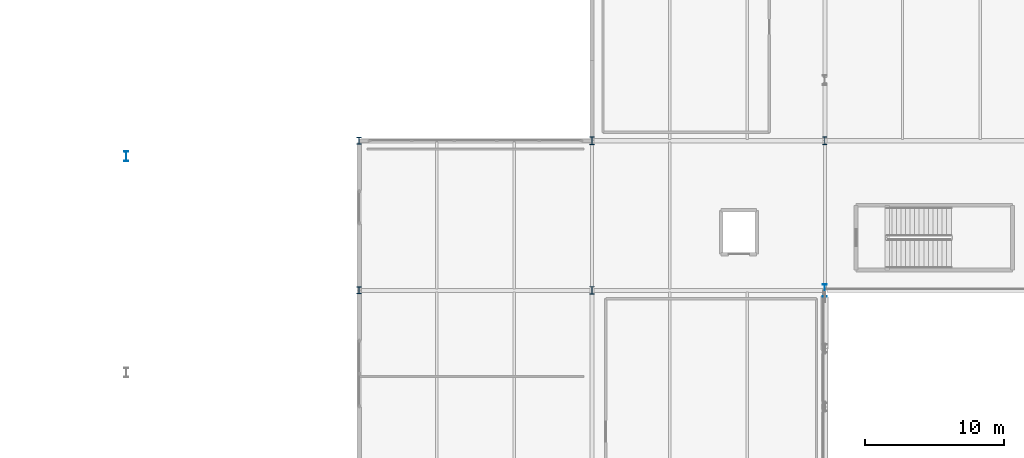
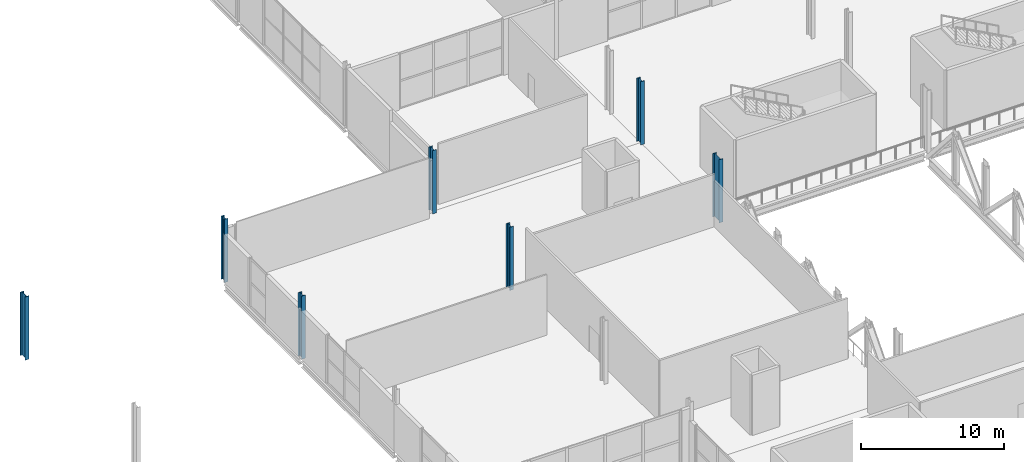
# One storey, part 5 of 84: 7 columns.
"""IFC4 building model written with IfcOpenShell, lengths in metres."""

from ifc_helpers import new_model, si_unit, direction, frame, origin, origin_2d, place, context, subcontext, project, spatial, i_section, extrude, material, material_profile, profile_set, type_object, element, save


model = new_model("IFC4")

# Units and contexts
model_context = context("Model", 3, precision=1e-05, world=origin(), true_north=direction((0.0, 1.0)))
body_context = subcontext(model_context, "Body", "Model", "MODEL_VIEW")
ifc_project = project(units=[si_unit("LENGTHUNIT", "METRE"), si_unit("AREAUNIT", "SQUARE_METRE"), si_unit("VOLUMEUNIT", "CUBIC_METRE"), si_unit("PLANEANGLEUNIT", "RADIAN"), si_unit("MASSUNIT", "GRAM", prefix="KILO")], contexts=[model_context])

# Site, building, storey
site_placement = place(None, origin())
site = spatial("IfcSite", under=ifc_project, at=site_placement, CompositionType="ELEMENT")
building_placement = place(site_placement, origin())
building = spatial("IfcBuilding", under=site, at=building_placement, Name="Kimbaza Rail Terminus", CompositionType="ELEMENT")
storey_placement = place(building_placement, frame((0.0, 0.0, 5.39990234375)))
storey = spatial("IfcBuildingStorey", under=building, at=storey_placement, Name="L01", CompositionType="ELEMENT", Elevation=5.39990234375)

# Columns
ifc_material_1 = material(Name="Steel S355", Category="steel")
ifc_material_profile_1 = material_profile(ifc_material_1, i_section(OverallWidth=0.300048828125, OverallDepth=0.5, WebThickness=0.014404296875, FlangeThickness=0.028076171875, FilletRadius=0.027099609375, at=origin_2d()), Name="HEB 500")
ifc_profile_set_1 = profile_set([ifc_material_profile_1], Name="Steel S355")
column_type_1 = type_object("IfcColumnType", Name="STR-COL-HEB500", PredefinedType="COLUMN", material=ifc_profile_set_1)
for number, where, z_axis, x_axis, name in (
    (1, (38.39990234375, 80.199951171875, 0.0), (0.0, 0.0, 1.0), (1.0, 0.0, 0.0), "Concourse Outer Wing Column L01"),
    (2, (38.39990234375, 91.0, 0.0), (0.0, 0.0, 1.0), (1.0, 0.0, 0.0), "Concourse Outer Wing Column L01"),
):
    element("IfcColumn", number, at=place(storey_placement, frame(where, z_axis=z_axis, x_axis=x_axis)), inside=storey, type_object=column_type_1, Name=name, PredefinedType="COLUMN", context=body_context, shape_type="SweptSolid", body=[
        extrude(i_section(OverallWidth=0.300048828125, OverallDepth=0.5, WebThickness=0.014404296875, FlangeThickness=0.028076171875, FilletRadius=0.027099609375, at=origin_2d()), origin(), (0.0, 0.0, 1.0), 5.400146484375),
    ])
ifc_material_2 = material(Name="Steel S355", Category="steel")
ifc_material_profile_2 = material_profile(ifc_material_2, i_section(OverallWidth=0.300048828125, OverallDepth=0.550048828125, WebThickness=0.014892578125, FlangeThickness=0.029052734375, FilletRadius=0.027099609375, at=origin_2d()), Name="HEB 550")
ifc_profile_set_2 = profile_set([ifc_material_profile_2], Name="Steel S355")
column_type_2 = type_object("IfcColumnType", Name="STR-COL-HEB550", PredefinedType="COLUMN", material=ifc_profile_set_2)
for number, where, z_axis, x_axis, name in (
    (3, (55.199951171875, 80.199951171875, 0.0), (0.0, 0.0, 1.0), (1.0, 0.0, 0.0), "North Transfer Pier L01 (0,0)"),
    (4, (55.199951171875, 91.0, 0.0), (0.0, 0.0, 1.0), (1.0, 0.0, 0.0), "North Transfer Pier L01 (0,1)"),
    (5, (72.0, 91.0, 0.0), (0.0, 0.0, 1.0), (1.0, 0.0, 0.0), "North Transfer Pier L01 (1,1)"),
):
    element("IfcColumn", number, at=place(storey_placement, frame(where, z_axis=z_axis, x_axis=x_axis)), inside=storey, type_object=column_type_2, Name=name, PredefinedType="COLUMN", context=body_context, shape_type="SweptSolid", body=[
        extrude(i_section(OverallWidth=0.300048828125, OverallDepth=0.550048828125, WebThickness=0.014892578125, FlangeThickness=0.029052734375, FilletRadius=0.027099609375, at=origin_2d()), origin(), (0.0, 0.0, 1.0), 5.400146484375),
    ])
ifc_material_3 = material(Name="Steel S355", Category="steel")
ifc_material_profile_3 = material_profile(ifc_material_3, i_section(OverallWidth=0.303955078125, OverallDepth=0.716064453125, WebThickness=0.02099609375, FlangeThickness=0.0400390625, FilletRadius=0.027099609375, at=origin_2d()), Name="HEM 700")
ifc_profile_set_3 = profile_set([ifc_material_profile_3], Name="Steel S355")
column_type_3 = type_object("IfcColumnType", Name="STR-COL-HEM700", PredefinedType="COLUMN", material=ifc_profile_set_3)
column_1_placement = place(storey_placement, frame((21.60009765625, 89.8759765625, 0.0), z_axis=(0.0, 0.0, 1.0), x_axis=(1.0, 0.0, 0.0)))
element("IfcColumn", 6, at=column_1_placement, inside=storey, type_object=column_type_3, Name="Viaduct Pier Column L01 VP-01", PredefinedType="COLUMN", context=body_context, shape_type="SweptSolid", body=[
    extrude(i_section(OverallWidth=0.303955078125, OverallDepth=0.716064453125, WebThickness=0.02099609375, FlangeThickness=0.0400390625, FilletRadius=0.027099609375, at=origin_2d()), origin(), (0.0, 0.0, 1.0), 5.400146484375),
])
ifc_material_4 = material(Name="Steel S355", Category="steel")
ifc_material_profile_4 = material_profile(ifc_material_4, i_section(OverallWidth=0.302001953125, OverallDepth=0.909912109375, WebThickness=0.02099609375, FlangeThickness=0.0400390625, FilletRadius=0.030029296875, at=origin_2d()), Name="HEM 900")
ifc_profile_set_4 = profile_set([ifc_material_profile_4], Name="Steel S355")
column_type_4 = type_object("IfcColumnType", Name="STR-COL-HEM900", PredefinedType="COLUMN", material=ifc_profile_set_4)
column_2_placement = place(storey_placement, frame((72.0, 80.199951171875, 0.0), z_axis=(0.0, 0.0, 1.0), x_axis=(1.0, 0.0, 0.0)))
element("IfcColumn", 7, at=column_2_placement, inside=storey, type_object=column_type_4, Name="North Transfer Pier L01 (1,0)", PredefinedType="COLUMN", context=body_context, shape_type="SweptSolid", body=[
    extrude(i_section(OverallWidth=0.302001953125, OverallDepth=0.909912109375, WebThickness=0.02099609375, FlangeThickness=0.0400390625, FilletRadius=0.030029296875, at=origin_2d()), origin(), (0.0, 0.0, 1.0), 5.400146484375),
])

save(model, "model.ifc")
